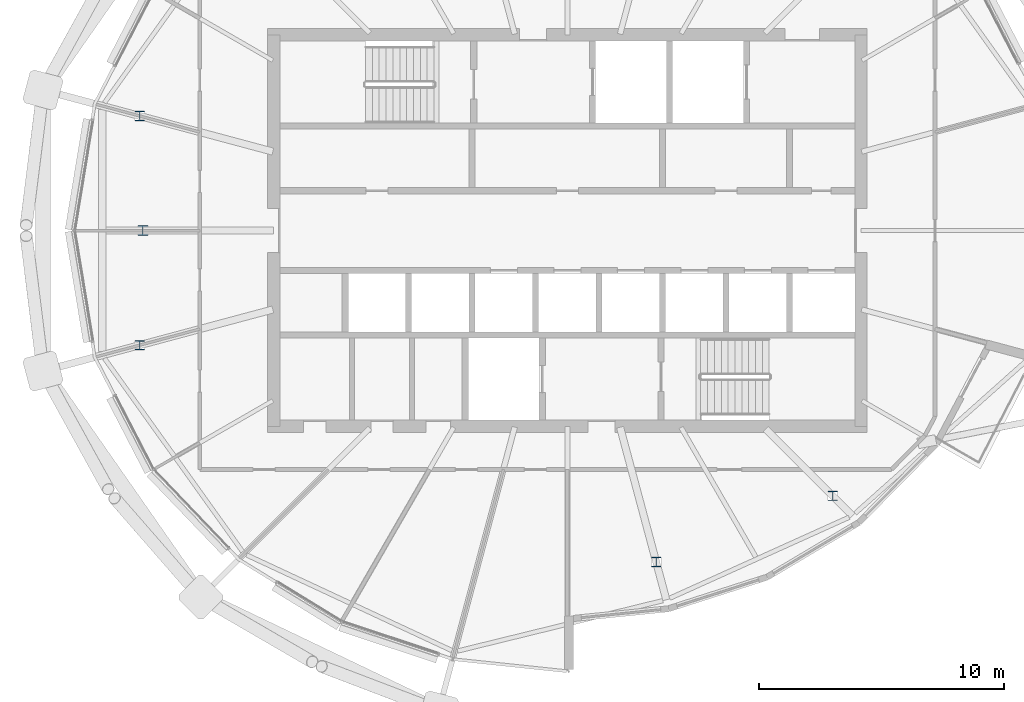
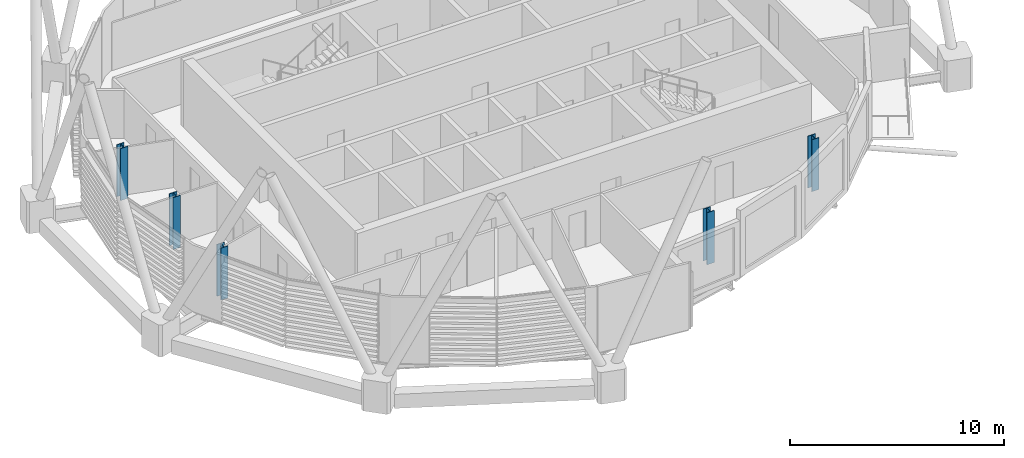
# One storey, part 1 of 31: 5 columns.
"""IFC4 building model written with IfcOpenShell, lengths in metres."""

from ifc_helpers import new_model, si_unit, direction, frame, origin, origin_2d, place, context, subcontext, project, spatial, i_section, extrude, material, material_profile, profile_set, type_object, element, save


model = new_model("IFC4")

# Units and contexts
model_context = context("Model", 3, precision=1e-05, world=origin(), true_north=direction((0.0, 1.0)))
body_context = subcontext(model_context, "Body", "Model", "MODEL_VIEW")
ifc_project = project(units=[si_unit("LENGTHUNIT", "METRE"), si_unit("AREAUNIT", "SQUARE_METRE"), si_unit("VOLUMEUNIT", "CUBIC_METRE"), si_unit("PLANEANGLEUNIT", "RADIAN"), si_unit("MASSUNIT", "GRAM", prefix="KILO")], contexts=[model_context])

# Site, building, storey
site_placement = place(None, origin())
site = spatial("IfcSite", under=ifc_project, at=site_placement, CompositionType="ELEMENT")
building_placement = place(site_placement, origin())
building = spatial("IfcBuilding", under=site, at=building_placement, Name="Rimbun Link Towers", CompositionType="ELEMENT")
storey_placement = place(building_placement, frame((0.0, 0.0, 244.699951171875)))
storey = spatial("IfcBuildingStorey", under=building, at=storey_placement, Name="L60", CompositionType="ELEMENT", Elevation=244.699951171875)

# Columns
ifc_material = material(Name="Steel S355J2", Category="steel")
ifc_material_profile = material_profile(ifc_material, i_section(OverallWidth=0.39892578125, OverallDepth=0.3935546875, WebThickness=0.022705078125, FlangeThickness=0.03662109375, at=origin_2d()), Name="UC 356x406x287")
ifc_profile_set = profile_set([ifc_material_profile], Name="Steel S355J2")
column_type = type_object("IfcColumnType", Name="UC 356x406x287", PredefinedType="COLUMN", material=ifc_profile_set)
for number, where, z_axis, x_axis, name in (
    (1, (-49.232177734375, 4.684326171875, -0.139892578125), (0.0, 0.0, 1.0), (1.0, 0.0, 0.0), "Crease post T1 L60 11"),
    (2, (-49.0966796875, 0.0, -0.139892578125), (0.0, 0.0, 1.0), (1.0, 0.0, 0.0), "Crease post T1 L60 12"),
    (3, (-49.232177734375, -4.684326171875, -0.139892578125), (0.0, 0.0, 1.0), (1.0, 0.0, 0.0), "Crease post T1 L60 13"),
    (4, (-28.12060546875, -13.545166015625, -0.139892578125), (0.0, 0.0, 1.0), (1.0, 0.0, 0.0), "Crease post T1 L60 19"),
    (5, (-20.905029296875, -10.844970703125, -0.139892578125), (0.0, 0.0, 1.0), (1.0, 0.0, 0.0), "Crease post T1 L60 21"),
):
    element("IfcColumn", number, at=place(storey_placement, frame(where, z_axis=z_axis, x_axis=x_axis)), inside=storey, type_object=column_type, Name=name, PredefinedType="COLUMN", context=body_context, shape_type="SweptSolid", body=[
        extrude(i_section(OverallWidth=0.39892578125, OverallDepth=0.3935546875, WebThickness=0.022705078125, FlangeThickness=0.03662109375, at=origin_2d()), origin(), (0.0, 0.0, 1.0), 2.959228515625),
    ])

save(model, "model.ifc")
